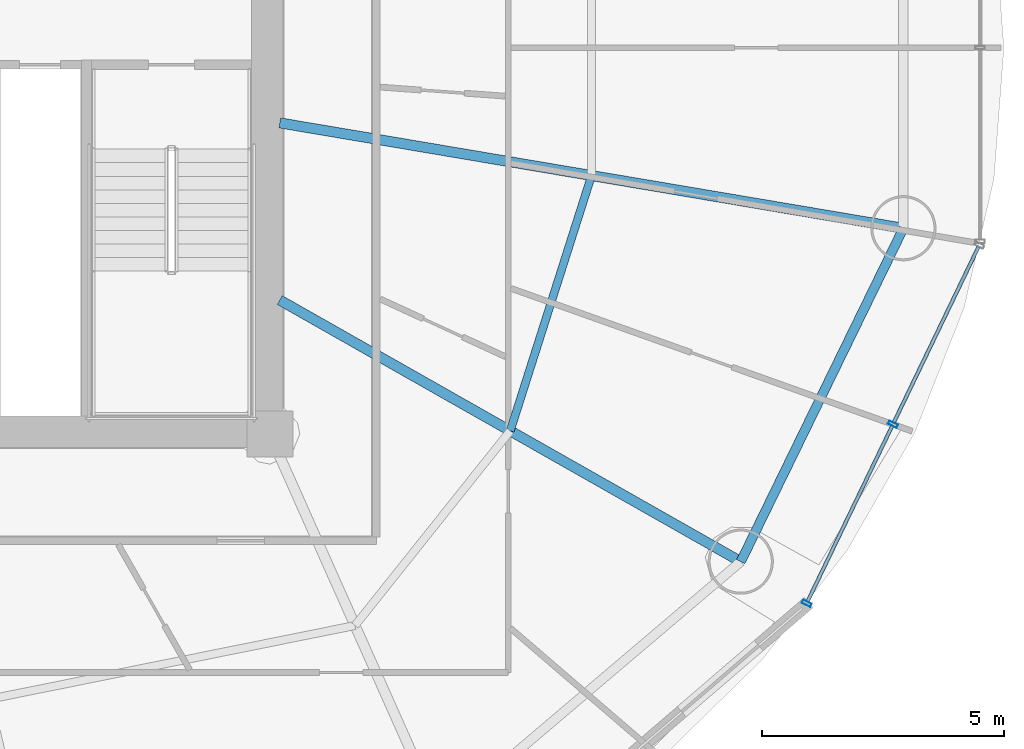
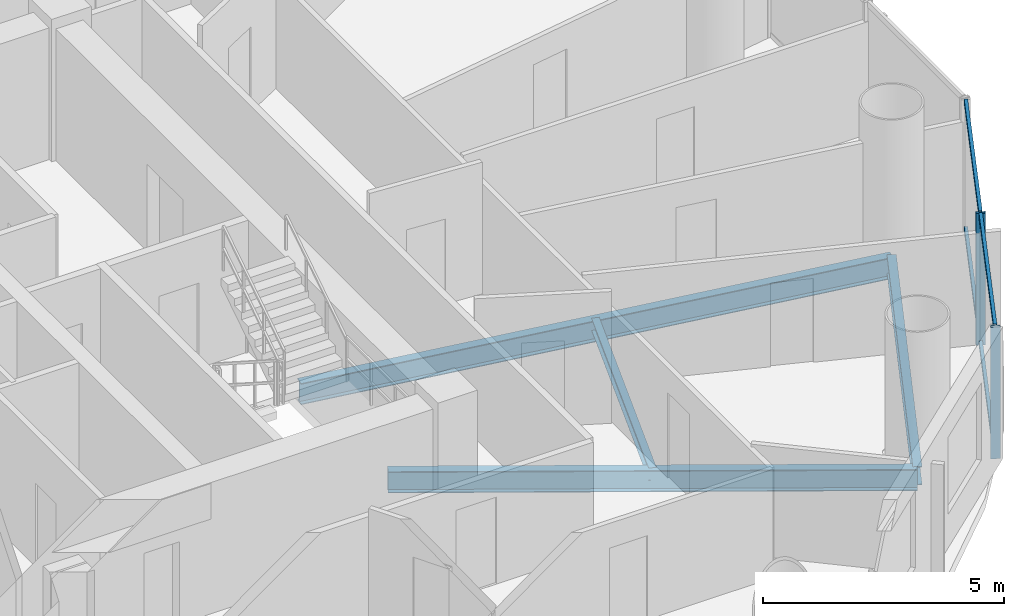
# One storey, part 10 of 26: 6 members, 4 beams, 1 element without a shape of its own.
"""IFC4 building model written with IfcOpenShell, lengths in metres."""

from ifc_helpers import new_model, si_unit, direction, frame, origin, origin_2d, place, context, subcontext, project, spatial, hollow_rectangle, i_section, extrude, source, transform, mapped, material, material_profile, profile_set, type_object, element, aggregate, save


model = new_model("IFC4")

# Units and contexts
model_context = context("Model", 3, precision=1e-05, world=origin(), true_north=direction((-0.2419218956, 0.970295726276)))
body_context = subcontext(model_context, "Body", "Model", "MODEL_VIEW")
ifc_project = project(units=[si_unit("LENGTHUNIT", "METRE"), si_unit("AREAUNIT", "SQUARE_METRE"), si_unit("VOLUMEUNIT", "CUBIC_METRE"), si_unit("PLANEANGLEUNIT", "RADIAN"), si_unit("MASSUNIT", "GRAM", prefix="KILO")], contexts=[model_context])

# Site, building, storey
site_placement = place(None, origin())
site = spatial("IfcSite", under=ifc_project, at=site_placement, CompositionType="ELEMENT")
building_placement = place(site_placement, origin())
building = spatial("IfcBuilding", under=site, at=building_placement, Name="Cobrevalo Terracotta Tower", CompositionType="ELEMENT")
storey_placement = place(building_placement, frame((0.0, 0.0, 175.0)))
storey = spatial("IfcBuildingStorey", under=building, at=storey_placement, Name="L46", CompositionType="ELEMENT", Elevation=175.0)

# Beams
ifc_material_1 = material(Name="Steel S355", Category="steel")
ifc_material_profile_1 = material_profile(ifc_material_1, i_section(OverallWidth=0.2109375, OverallDepth=0.5390625, WebThickness=0.01171875, FlangeThickness=0.018798828125, at=origin_2d()), Name="W 530x109")
ifc_profile_set_1 = profile_set([ifc_material_profile_1], Name="Steel S355")
beam_type_1 = type_object("IfcBeamType", Name="Structural Beam W 530x109 (Steel S355)", PredefinedType="BEAM", material=ifc_profile_set_1)
beam_1_placement = place(storey_placement, frame((56.749755859375, 16.160888671875, -0.53955078125), z_axis=(-0.869743726706, 0.493503647257, 0.0), x_axis=(-0.493503647257, -0.869743726706, 0.0)))
element("IfcBeam", 1, at=beam_1_placement, inside=storey, type_object=beam_type_1, Name="L46 radial floor girder 15", PredefinedType="BEAM", context=body_context, shape_type="SweptSolid", body=[
    extrude(i_section(OverallWidth=0.2109375, OverallDepth=0.5390625, WebThickness=0.01171875, FlangeThickness=0.018798828125, at=origin_2d()), origin(), (0.0, 0.0, 1.0), 10.97412109375),
])
beam_2_placement = place(storey_placement, frame((60.11669921875, 23.06396484375, -0.53955078125), z_axis=(-0.986029732232, 0.166569406417, 0.0), x_axis=(-0.166569406417, -0.986029732232, 0.0)))
element("IfcBeam", 2, at=beam_2_placement, inside=storey, type_object=beam_type_1, Name="L46 radial floor girder 16", PredefinedType="BEAM", context=body_context, shape_type="SweptSolid", body=[
    extrude(i_section(OverallWidth=0.2109375, OverallDepth=0.5390625, WebThickness=0.01171875, FlangeThickness=0.018798828125, at=origin_2d()), origin(), (0.0, 0.0, 1.0), 13.094482421875),
])
ifc_material_profile_2 = material_profile(ifc_material_1, i_section(OverallWidth=0.1650390625, OverallDepth=0.31005859375, WebThickness=0.005859375, FlangeThickness=0.009765625, at=origin_2d()), Name="W 310x38.7")
ifc_profile_set_2 = profile_set([ifc_material_profile_2], Name="Steel S355")
beam_type_2 = type_object("IfcBeamType", Name="Structural Joist W 310x38.7 (Steel S355)", PredefinedType="JOIST", material=ifc_profile_set_2)
beam_3_placement = place(storey_placement, frame((51.977294921875, 18.868896484375, -0.425048828125), z_axis=(0.303497928386, 0.952832098255, 0.0), x_axis=(-0.952832098255, 0.303497928386, 0.0)))
element("IfcBeam", 3, at=beam_3_placement, inside=storey, type_object=beam_type_2, Name="L46 circumferential secondary floor joist 15", PredefinedType="JOIST", context=body_context, shape_type="SweptSolid", body=[
    extrude(i_section(OverallWidth=0.1650390625, OverallDepth=0.31005859375, WebThickness=0.005859375, FlangeThickness=0.009765625, at=origin_2d()), origin(), (0.0, 0.0, 1.0), 5.54736328125),
])
ifc_material_profile_3 = material_profile(ifc_material_1, i_section(OverallWidth=0.194091796875, OverallDepth=0.468994140625, WebThickness=0.011474609375, FlangeThickness=0.0205078125, at=origin_2d()), Name="W 460x106")
ifc_profile_set_3 = profile_set([ifc_material_profile_3], Name="Steel S355")
beam_type_3 = type_object("IfcBeamType", Name="Structural Spandrel W 460x106 (Steel S355)", PredefinedType="SPANDREL", material=ifc_profile_set_3)
beam_4_placement = place(storey_placement, frame((56.749755859375, 16.160888671875, -0.50439453125), z_axis=(0.438380418332, 0.898789524206, 0.0), x_axis=(-0.898789524206, 0.438380418332, 0.0)))
element("IfcBeam", 4, at=beam_4_placement, inside=storey, type_object=beam_type_3, Name="L46 perimeter ring spandrel 15", PredefinedType="SPANDREL", context=body_context, shape_type="SweptSolid", body=[
    extrude(i_section(OverallWidth=0.194091796875, OverallDepth=0.468994140625, WebThickness=0.011474609375, FlangeThickness=0.0205078125, at=origin_2d()), origin(), (0.0, 0.0, 1.0), 7.680419921875),
])

# Curtain wall, members
ifc_material_2 = material(Name="Anodized aluminium", Category="aluminium")
curtain_wall_type = type_object("IfcCurtainWallType", Name="Mid-tower high-wind unitised curtain wall CW-U2", PredefinedType="NOTDEFINED", material=ifc_material_2)
curtain_wall_placement = place(storey_placement, origin())
curtain_wall = element("IfcCurtainWall", 5, at=curtain_wall_placement, inside=storey, type_object=curtain_wall_type, Name="L46 curtain wall CW-L46-S15", PredefinedType="NOTDEFINED")
ifc_material_profile_4 = material_profile(ifc_material_2, hollow_rectangle(XDim=0.074951171875, YDim=0.199951171875, WallThickness=0.0048828125, at=origin_2d()), Name="CWM 75x200")
ifc_profile_set_4 = profile_set([ifc_material_profile_4], Name="Anodized aluminium")
member_type_1 = type_object("IfcMemberType", Name="Lower/mid tower unitised mullion 75x200", PredefinedType="MULLION", material=ifc_profile_set_4)
shared_shape_1 = source(origin(), body_context, "Body", "SweptSolid", [
    extrude(hollow_rectangle(XDim=0.074951171875, YDim=0.199951171875, WallThickness=0.0048828125, at=origin_2d()), origin(), (0.0, 0.0, 1.0), 3.330078125),
])
member_1_placement = place(storey_placement, frame((58.114013671875, 15.296875, 0.0), z_axis=(0.0, 0.0, 1.0), x_axis=(0.434209440271, 0.900811945957, 0.0)))
member_1 = element("IfcMember", 6, at=member_1_placement, type_object=member_type_1, Name="CW-L46-S15 vertical mullion 01", PredefinedType="MULLION", context=body_context, shape_type="MappedRepresentation", body=[
    mapped(shared_shape_1, transform((0.0, 0.0, 0.0), scale=1.0)),
])
member_2_placement = place(storey_placement, frame((59.901123046875, 19.00439453125, 0.0), z_axis=(0.0, 0.0, 1.0), x_axis=(0.434209440271, 0.900811945957, 0.0)))
member_2 = element("IfcMember", 7, at=member_2_placement, type_object=member_type_1, Name="CW-L46-S15 vertical mullion 02", PredefinedType="MULLION", context=body_context, shape_type="MappedRepresentation", body=[
    mapped(shared_shape_1, transform((0.0, 0.0, 0.0), scale=1.0)),
])
ifc_material_profile_5 = material_profile(ifc_material_2, hollow_rectangle(XDim=0.074951171875, YDim=0.14990234375, WallThickness=0.00439453125, at=origin_2d()), Name="CWT 75x150")
ifc_profile_set_5 = profile_set([ifc_material_profile_5], Name="Anodized aluminium")
member_type_2 = type_object("IfcMemberType", Name="Tower unitised aluminium transom 75x150", PredefinedType="USERDEFINED", material=ifc_profile_set_5)
shared_shape_2 = source(origin(), body_context, "Body", "SweptSolid", [
    extrude(hollow_rectangle(XDim=0.074951171875, YDim=0.14990234375, WallThickness=0.00439453125, at=origin_2d()), origin(), (0.0, 0.0, 1.0), 4.035888671875),
])
member_3_placement = place(storey_placement, frame((58.13134765625, 15.332763671875, 0.050048828125), z_axis=(0.434221176581, 0.900806288726, 0.0), x_axis=(-0.900806288726, 0.434221176581, 0.0)))
member_3 = element("IfcMember", 8, at=member_3_placement, type_object=member_type_2, Name="CW-L46-S15 transom B01-T1", ObjectType="TRANSOM", PredefinedType="USERDEFINED", context=body_context, shape_type="MappedRepresentation", body=[
    mapped(shared_shape_2, transform((0.0, 0.0, 0.0), scale=1.0)),
])
member_4_placement = place(storey_placement, frame((58.13134765625, 15.332763671875, 3.280029296875), z_axis=(0.434221176581, 0.900806288726, 0.0), x_axis=(-0.900806288726, 0.434221176581, 0.0)))
member_4 = element("IfcMember", 9, at=member_4_placement, type_object=member_type_2, Name="CW-L46-S15 transom B01-T2", ObjectType="TRANSOM", PredefinedType="USERDEFINED", context=body_context, shape_type="MappedRepresentation", body=[
    mapped(shared_shape_2, transform((0.0, 0.0, 0.0), scale=1.0)),
])
member_5_placement = place(storey_placement, frame((59.91845703125, 19.04052734375, 0.050048828125), z_axis=(0.434221176581, 0.900806288726, 0.0), x_axis=(-0.900806288726, 0.434221176581, 0.0)))
member_5 = element("IfcMember", 10, at=member_5_placement, type_object=member_type_2, Name="CW-L46-S15 transom B02-T1", ObjectType="TRANSOM", PredefinedType="USERDEFINED", context=body_context, shape_type="MappedRepresentation", body=[
    mapped(shared_shape_2, transform((0.0, 0.0, 0.0), scale=1.0)),
])
member_6_placement = place(storey_placement, frame((59.91845703125, 19.04052734375, 3.280029296875), z_axis=(0.434221176581, 0.900806288726, 0.0), x_axis=(-0.900806288726, 0.434221176581, 0.0)))
member_6 = element("IfcMember", 11, at=member_6_placement, type_object=member_type_2, Name="CW-L46-S15 transom B02-T2", ObjectType="TRANSOM", PredefinedType="USERDEFINED", context=body_context, shape_type="MappedRepresentation", body=[
    mapped(shared_shape_2, transform((0.0, 0.0, 0.0), scale=1.0)),
])
aggregate(curtain_wall, [member_1, member_2, member_3, member_4, member_5, member_6])

save(model, "model.ifc")
